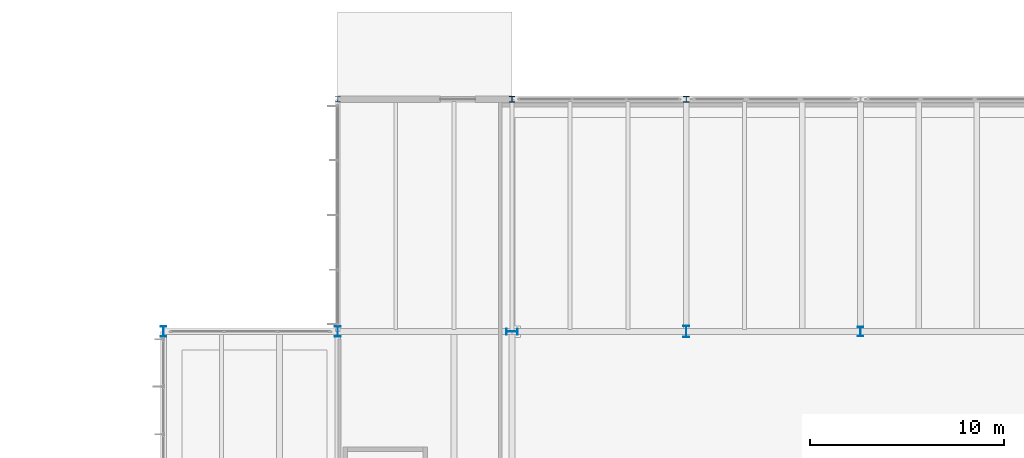
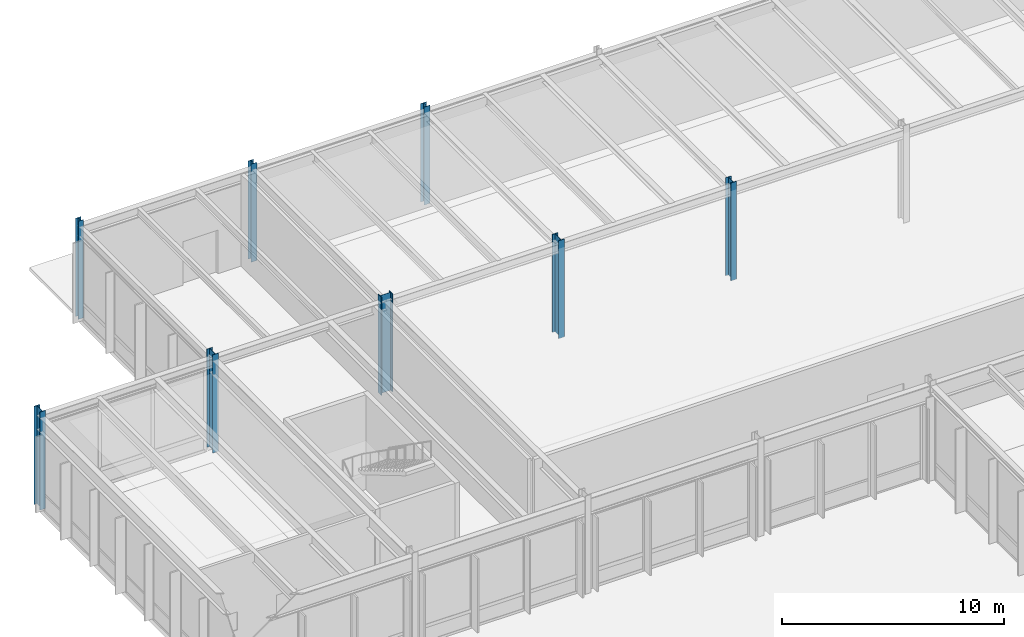
# One storey, part 10 of 143: 8 columns.
"""IFC4 building model written with IfcOpenShell, lengths in metres."""

from ifc_helpers import new_model, si_unit, direction, frame, origin, origin_2d, place, context, subcontext, project, spatial, i_section, extrude, material, material_profile, profile_set, type_object, element, save


model = new_model("IFC4")

# Units and contexts
model_context = context("Model", 3, precision=1e-05, world=origin(), true_north=direction((0.0, 1.0)))
body_context = subcontext(model_context, "Body", "Model", "MODEL_VIEW")
ifc_project = project(units=[si_unit("LENGTHUNIT", "METRE"), si_unit("AREAUNIT", "SQUARE_METRE"), si_unit("VOLUMEUNIT", "CUBIC_METRE"), si_unit("PLANEANGLEUNIT", "RADIAN"), si_unit("MASSUNIT", "GRAM", prefix="KILO")], contexts=[model_context])

# Site, building, storey
site_placement = place(None, origin())
site = spatial("IfcSite", under=ifc_project, at=site_placement, CompositionType="ELEMENT")
building_placement = place(site_placement, origin())
building = spatial("IfcBuilding", under=site, at=building_placement, Name="Montelvaro Courts of Justice", CompositionType="ELEMENT")
storey_placement = place(building_placement, origin())
storey = spatial("IfcBuildingStorey", under=building, at=storey_placement, Name="L00", CompositionType="ELEMENT", Elevation=0.0)

# Columns
ifc_material = material(Name="Steel S355", Category="steel")
ifc_material_profile_1 = material_profile(ifc_material, i_section(OverallWidth=0.280029296875, OverallDepth=0.280029296875, WebThickness=0.010498046875, FlangeThickness=0.01806640625, at=origin_2d()), Name="HEB 280")
ifc_profile_set_1 = profile_set([ifc_material_profile_1], Name="Steel S355")
column_type_1 = type_object("IfcColumnType", Name="Col_HEB280", PredefinedType="COLUMN", material=ifc_profile_set_1)
column_1_placement = place(storey_placement, frame((27.0, 108.0, 0.0), z_axis=(0.0, 0.0, 1.0), x_axis=(1.0, 0.0, 0.0)))
element("IfcColumn", 1, at=column_1_placement, inside=storey, type_object=column_type_1, Name="Column C-02 L00 4/I", PredefinedType="COLUMN", context=body_context, shape_type="SweptSolid", body=[
    extrude(i_section(OverallWidth=0.280029296875, OverallDepth=0.280029296875, WebThickness=0.010498046875, FlangeThickness=0.01806640625, at=origin_2d()), origin(), (0.0, 0.0, 1.0), 5.39990234375),
])
ifc_material_profile_2 = material_profile(ifc_material, i_section(OverallWidth=0.300048828125, OverallDepth=0.300048828125, WebThickness=0.010986328125, FlangeThickness=0.01904296875, at=origin_2d()), Name="HEB 300")
ifc_profile_set_2 = profile_set([ifc_material_profile_2], Name="Steel S355")
column_type_2 = type_object("IfcColumnType", Name="Col_HEB300", PredefinedType="COLUMN", material=ifc_profile_set_2)
column_2_placement = place(storey_placement, frame((36.0, 108.0, 0.0), z_axis=(0.0, 0.0, 1.0), x_axis=(1.0, 0.0, 0.0)))
element("IfcColumn", 2, at=column_2_placement, inside=storey, type_object=column_type_2, Name="Column C-03 L00 5/I", PredefinedType="COLUMN", context=body_context, shape_type="SweptSolid", body=[
    extrude(i_section(OverallWidth=0.300048828125, OverallDepth=0.300048828125, WebThickness=0.010986328125, FlangeThickness=0.01904296875, at=origin_2d()), origin(), (0.0, 0.0, 1.0), 5.39990234375),
])
ifc_material_profile_3 = material_profile(ifc_material, i_section(OverallWidth=0.300048828125, OverallDepth=0.320068359375, WebThickness=0.011474609375, FlangeThickness=0.0205078125, at=origin_2d()), Name="HEB 320")
ifc_profile_set_3 = profile_set([ifc_material_profile_3], Name="Steel S355")
column_type_3 = type_object("IfcColumnType", Name="Col_HEB320", PredefinedType="COLUMN", material=ifc_profile_set_3)
column_3_placement = place(storey_placement, frame((45.0, 108.0, 0.0), z_axis=(0.0, 0.0, 1.0), x_axis=(1.0, 0.0, 0.0)))
element("IfcColumn", 3, at=column_3_placement, inside=storey, type_object=column_type_3, Name="Column C-04 L00 6/I", PredefinedType="COLUMN", context=body_context, shape_type="SweptSolid", body=[
    extrude(i_section(OverallWidth=0.300048828125, OverallDepth=0.320068359375, WebThickness=0.011474609375, FlangeThickness=0.0205078125, at=origin_2d()), origin(), (0.0, 0.0, 1.0), 5.39990234375),
])
ifc_material_profile_4 = material_profile(ifc_material, i_section(OverallWidth=0.300048828125, OverallDepth=0.5, WebThickness=0.014404296875, FlangeThickness=0.028076171875, at=origin_2d()), Name="HEB 500")
ifc_profile_set_4 = profile_set([ifc_material_profile_4], Name="Steel S355")
column_type_4 = type_object("IfcColumnType", Name="Col_HEB500", PredefinedType="COLUMN", material=ifc_profile_set_4)
column_4_placement = place(storey_placement, frame((54.0, 96.0, 0.0), z_axis=(0.0, 0.0, 1.0), x_axis=(1.0, 0.0, 0.0)))
element("IfcColumn", 4, at=column_4_placement, inside=storey, type_object=column_type_4, Name="Column C-09 L00 7/H", PredefinedType="COLUMN", context=body_context, shape_type="SweptSolid", body=[
    extrude(i_section(OverallWidth=0.300048828125, OverallDepth=0.5, WebThickness=0.014404296875, FlangeThickness=0.028076171875, at=origin_2d()), origin(), (0.0, 0.0, 1.0), 5.39990234375),
])
ifc_material_profile_5 = material_profile(ifc_material, i_section(OverallWidth=0.300048828125, OverallDepth=0.550048828125, WebThickness=0.014892578125, FlangeThickness=0.029052734375, at=origin_2d()), Name="HEB 550")
ifc_profile_set_5 = profile_set([ifc_material_profile_5], Name="Steel S355")
column_type_5 = type_object("IfcColumnType", Name="Col_HEB550", PredefinedType="COLUMN", material=ifc_profile_set_5)
for number, where, z_axis, x_axis, name in (
    (5, (18.0, 96.0, 0.0), (0.0, 0.0, 1.0), (1.0, 0.0, 0.0), "Column C-10 L00 3/H"),
    (6, (27.0, 96.0, 0.0), (0.0, 0.0, 1.0), (1.0, 0.0, 0.0), "Column C-10 L00 4/H"),
):
    element("IfcColumn", number, at=place(storey_placement, frame(where, z_axis=z_axis, x_axis=x_axis)), inside=storey, type_object=column_type_5, Name=name, PredefinedType="COLUMN", context=body_context, shape_type="SweptSolid", body=[
        extrude(i_section(OverallWidth=0.300048828125, OverallDepth=0.550048828125, WebThickness=0.014892578125, FlangeThickness=0.029052734375, at=origin_2d()), origin(), (0.0, 0.0, 1.0), 5.39990234375),
    ])
ifc_material_profile_6 = material_profile(ifc_material, i_section(OverallWidth=0.300048828125, OverallDepth=0.60009765625, WebThickness=0.015380859375, FlangeThickness=0.030029296875, at=origin_2d()), Name="HEB 600")
ifc_profile_set_6 = profile_set([ifc_material_profile_6], Name="Steel S355")
column_type_6 = type_object("IfcColumnType", Name="Col_HEB600", PredefinedType="COLUMN", material=ifc_profile_set_6)
for number, where, z_axis, x_axis, name in (
    (7, (36.0, 96.0, 0.0), (0.0, 0.0, 1.0), (0.0, 1.0, 0.0), "Column C-11 L00 5/H"),
    (8, (45.0, 96.0, 0.0), (0.0, 0.0, 1.0), (1.0, 0.0, 0.0), "Column C-11 L00 6/H"),
):
    element("IfcColumn", number, at=place(storey_placement, frame(where, z_axis=z_axis, x_axis=x_axis)), inside=storey, type_object=column_type_6, Name=name, PredefinedType="COLUMN", context=body_context, shape_type="SweptSolid", body=[
        extrude(i_section(OverallWidth=0.300048828125, OverallDepth=0.60009765625, WebThickness=0.015380859375, FlangeThickness=0.030029296875, at=origin_2d()), origin(), (0.0, 0.0, 1.0), 5.39990234375),
    ])

save(model, "model.ifc")
